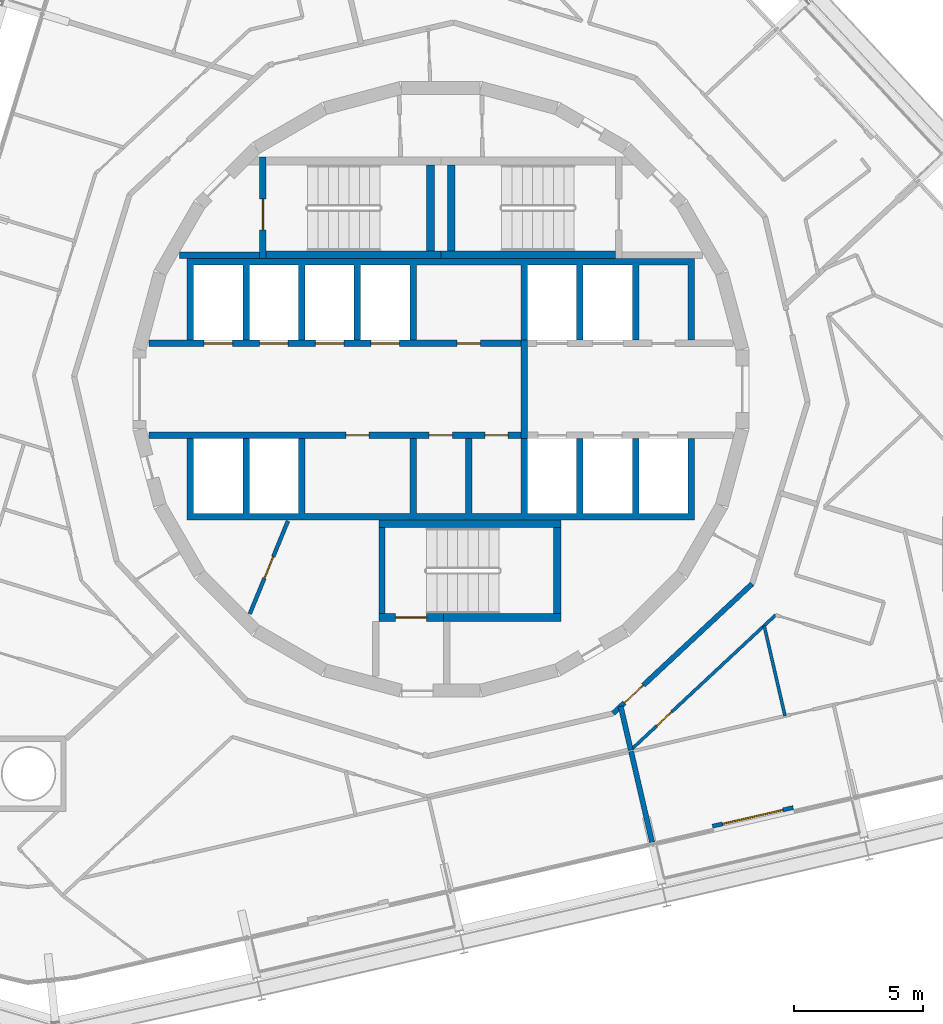
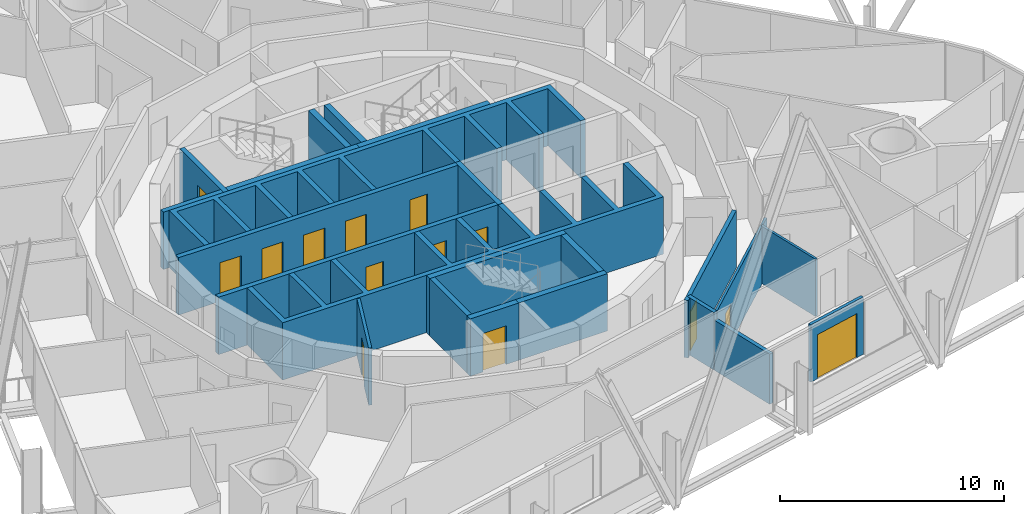
# One storey, part 13 of 18: 23 walls, 14 doors, 14 openings.
"""IFC4 building model written with IfcOpenShell, lengths in metres."""

from ifc_helpers import new_model, si_unit, direction, frame, frame_2d, origin, place, context, subcontext, project, spatial, polyline, rectangle, outline, extrude, material, layer, layer_set, type_object, element, fill, save


model = new_model("IFC4")

# Units and contexts
model_context = context("Model", 3, precision=1e-05, world=origin(), true_north=direction((0.0, 1.0)))
body_context = subcontext(model_context, "Body", "Model", "MODEL_VIEW")
ifc_project = project(units=[si_unit("LENGTHUNIT", "METRE"), si_unit("AREAUNIT", "SQUARE_METRE"), si_unit("VOLUMEUNIT", "CUBIC_METRE"), si_unit("PLANEANGLEUNIT", "RADIAN"), si_unit("MASSUNIT", "GRAM", prefix="KILO")], contexts=[model_context])

# Site, building, storey
site_placement = place(None, origin())
site = spatial("IfcSite", under=ifc_project, at=site_placement, CompositionType="ELEMENT")
building_placement = place(site_placement, origin())
building = spatial("IfcBuilding", under=site, at=building_placement, Name="Spindle Arch Residences", CompositionType="ELEMENT")
storey_placement = place(building_placement, frame((0.0, 0.0, 127.39990234375)))
storey = spatial("IfcBuildingStorey", under=building, at=storey_placement, Name="L31", CompositionType="ELEMENT", Elevation=127.39990234375)

# Wall, opening, door
ifc_material_1 = material(Name="Calcium silicate block, plastered")
ifc_layer_1 = layer(ifc_material_1, 0.199951171875)
ifc_layer_set_1 = layer_set([ifc_layer_1], Name="Corridor wall 200")
wall_type_1 = type_object("IfcWallType", Name="Corridor wall 200", PredefinedType="STANDARD", material=ifc_layer_set_1)
wall_1_placement = place(storey_placement, frame((6.65869140625, -12.523193359375, 0.0), z_axis=(0.0, 0.0, 1.0), x_axis=(0.731350455479, 0.682001841105, 0.0)))
wall_1 = element("IfcWall", 1, at=wall_1_placement, inside=storey, type_object=wall_type_1, Name="Corridor wall R3B0-W015", PredefinedType="STANDARD", context=body_context, shape_type="SweptSolid", body=[
    extrude(rectangle(XDim=7.341796875, YDim=0.199951171875, at=frame_2d((3.6708984375, 0.0))), origin(), (0.0, 0.0, 1.0), 3.1201171875),
])
opening_1_placement = place(wall_1_placement, frame((0.596923828125, 0.0, 0.0)))
opening_1 = element("IfcOpeningElement", 2, at=opening_1_placement, cuts=wall_1, Name="Opening R3B0-FD05", PredefinedType="OPENING", context=body_context, shape_type="SweptSolid", body=[
    extrude(rectangle(XDim=1.0, YDim=2.10009765625, at=frame_2d((0.5, 1.050048828125))), frame((0.0, 0.10986328125, 0.0), z_axis=(0.0, -1.0, 0.0), x_axis=(1.0, 0.0, 0.0)), (0.0, 0.0, 1.0), 0.219970703125),
])
ifc_material_2 = material(Name="Timber, fire-resisting door set", Category="wood")
door_type_1 = type_object("IfcDoorType", Name="Flat entrance door 1000x2100", OperationType="NOTDEFINED", PredefinedType="DOOR", material=ifc_material_2)
door_1_placement = place(opening_1_placement, origin())
door_1 = element("IfcDoor", 3, at=door_1_placement, inside=storey, type_object=door_type_1, Name="Flat entrance door R3B0-FD05", OperationType="SINGLE_SWING_RIGHT", OverallHeight=2.10009765625, OverallWidth=1.0, PredefinedType="DOOR", context=body_context, shape_type="SweptSolid", body=[
    extrude(rectangle(XDim=1.0, YDim=2.10009765625, at=frame_2d((0.5, 1.050048828125))), frame((0.0, 0.02490234375, 0.0), z_axis=(0.0, -1.0, 0.0), x_axis=(1.0, 0.0, 0.0)), (0.0, 0.0, 1.0), 0.050048828125),
])
fill(opening_1, door_1)

# Wall
ifc_material_3 = material(Name="Concrete C40/50", Category="concrete")
ifc_layer_2 = layer(ifc_material_3, 0.25)
ifc_layer_set_2 = layer_set([ifc_layer_2], Name="Fire-lift lobby wall 250")
wall_type_2 = type_object("IfcWallType", Name="Fire-lift lobby wall 250", PredefinedType="SHEAR", material=ifc_layer_set_2)
wall_2_placement = place(storey_placement, frame((3.22509765625, -1.89990234375, 0.0), z_axis=(0.0, 0.0, 1.0), x_axis=(0.0, 1.0, 0.0)))
element("IfcWall", 4, at=wall_2_placement, inside=storey, type_object=wall_type_2, Name="Fire-fighting lobby partition", PredefinedType="SHEAR", context=body_context, shape_type="SweptSolid", body=[
    extrude(rectangle(XDim=3.7998046875, YDim=0.25, at=frame_2d((1.89990234375, 0.0))), origin(), (0.0, 0.0, 1.0), 3.1201171875),
])

# Wall, opening, door
ifc_material_4 = material(Name="Plasterboard on steel studs", Category="steel")
ifc_layer_3 = layer(ifc_material_4, 0.1201171875)
ifc_layer_set_3 = layer_set([ifc_layer_3], Name="Flat partition 120")
wall_type_3 = type_object("IfcWallType", Name="Flat partition 120", PredefinedType="PARTITIONING", material=ifc_layer_set_3)
wall_3_placement = place(storey_placement, frame((7.3876953125, -13.894287109375, 0.0), z_axis=(0.0, 0.0, 1.0), x_axis=(0.731346321845, 0.682006273815, 0.0)))
wall_3 = element("IfcWall", 5, at=wall_3_placement, inside=storey, type_object=wall_type_3, Name="Flat partition R3B0-W085", PredefinedType="PARTITIONING", context=body_context, shape_type="SweptSolid", body=[
    extrude(rectangle(XDim=7.58544921875, YDim=0.1201171875, at=frame_2d((3.792724609375, 0.0))), origin(), (0.0, 0.0, 1.0), 3.1201171875),
])
opening_2_placement = place(wall_3_placement, frame((1.300048828125, 0.0, 0.0)))
opening_2 = element("IfcOpeningElement", 6, at=opening_2_placement, cuts=wall_3, Name="Opening R3B0-BD06", PredefinedType="OPENING", context=body_context, shape_type="SweptSolid", body=[
    extrude(rectangle(XDim=0.800048828125, YDim=2.10009765625, at=frame_2d((0.39990234375, 1.050048828125))), frame((0.0, 0.070068359375, 0.0), z_axis=(0.0, -1.0, 0.0), x_axis=(1.0, 0.0, 0.0)), (0.0, 0.0, 1.0), 0.14013671875),
])
ifc_material_5 = material(Name="Timber door set", Category="wood")
door_type_2 = type_object("IfcDoorType", Name="Bathroom door 800x2100", OperationType="NOTDEFINED", PredefinedType="DOOR", material=ifc_material_5)
door_2_placement = place(opening_2_placement, origin())
door_2 = element("IfcDoor", 7, at=door_2_placement, inside=storey, type_object=door_type_2, Name="Bathroom door R3B0-BD06", OperationType="SINGLE_SWING_RIGHT", OverallHeight=2.10009765625, OverallWidth=0.800048828125, PredefinedType="DOOR", context=body_context, shape_type="SweptSolid", body=[
    extrude(rectangle(XDim=0.800048828125, YDim=2.10009765625, at=frame_2d((0.39990234375, 1.050048828125))), frame((0.0, 0.02490234375, 0.0), z_axis=(0.0, -1.0, 0.0), x_axis=(1.0, 0.0, 0.0)), (0.0, 0.0, 1.0), 0.050048828125),
])
fill(opening_2, door_2)

# Walls
wall_4_placement = place(storey_placement, frame((13.29833984375, -12.622802734375, 0.0), z_axis=(0.0, 0.0, 1.0), x_axis=(-0.22499394936, 0.974360160696, 0.0)))
element("IfcWall", 8, at=wall_4_placement, inside=storey, type_object=wall_type_3, Name="Flat partition R3B0-W091", PredefinedType="PARTITIONING", context=body_context, shape_type="SweptSolid", body=[
    extrude(rectangle(XDim=3.580810546875, YDim=0.1201171875, at=frame_2d((1.79052734375, 0.0))), origin(), (0.0, 0.0, 1.0), 3.1201171875),
])
ifc_material_6 = material(Name="Calcium silicate block, plastered")
ifc_layer_4 = layer(ifc_material_6, 0.199951171875)
ifc_layer_set_4 = layer_set([ifc_layer_4], Name="Flat party wall 200")
wall_type_4 = type_object("IfcWallType", Name="Flat party wall 200", PredefinedType="STANDARD", material=ifc_layer_set_4)
wall_5_placement = place(storey_placement, frame((7.33984375, -13.9462890625, 0.0), z_axis=(0.0, 0.0, 1.0), x_axis=(-0.224849249613, 0.974393562658, 0.0)))
element("IfcWall", 9, at=wall_5_placement, inside=storey, type_object=wall_type_4, Name="Flat party wall R3B0-W022", PredefinedType="STANDARD", context=body_context, shape_type="SweptSolid", body=[
    extrude(rectangle(XDim=1.73828125, YDim=0.199951171875, at=frame_2d((0.869140625, 0.0))), origin(), (0.0, 0.0, 1.0), 3.1201171875),
])
ifc_material_7 = material(Name="Calcium silicate block, plastered")
ifc_layer_5 = layer(ifc_material_7, 0.199951171875)
ifc_layer_set_5 = layer_set([ifc_layer_5], Name="Flat party wall 200 under beam 2730")
wall_type_5 = type_object("IfcWallType", Name="Flat party wall 200 under beam 2730", PredefinedType="STANDARD", material=ifc_layer_set_5)
wall_6_placement = place(storey_placement, frame((8.1611328125, -17.503662109375, 0.0), z_axis=(0.0, 0.0, 1.0), x_axis=(-0.224943703639, 0.9743717618, 0.0)))
element("IfcWall", 10, at=wall_6_placement, inside=storey, type_object=wall_type_5, Name="Flat party wall R3B0-W023", PredefinedType="STANDARD", context=body_context, shape_type="SweptSolid", body=[
    extrude(rectangle(XDim=3.60009765625, YDim=0.199951171875, at=frame_2d((1.800048828125, 0.0))), origin(), (0.0, 0.0, 1.0), 2.72998046875),
])

# Wall, opening, door
ifc_material_8 = material(Name="Non-combustible mineral wool insulated aluminium faced external wall (K0)", Category="aluminium")
ifc_layer_6 = layer(ifc_material_8, 0.159912109375)
ifc_layer_set_6 = layer_set([ifc_layer_6], Name="Insulated external wall panel 160")
wall_type_6 = type_object("IfcWallType", Name="Insulated external wall panel 160", PredefinedType="STANDARD", material=ifc_layer_set_6)
wall_7_placement = place(storey_placement, frame((10.495849609375, -16.882568359375, 0.0), z_axis=(0.0, 0.0, 1.0), x_axis=(0.974364187477, 0.224976510247, 0.0)))
wall_7 = element("IfcWall", 11, at=wall_7_placement, inside=storey, type_object=wall_type_6, Name="External wall L31 bay 1", PredefinedType="STANDARD", context=body_context, shape_type="SweptSolid", body=[
    extrude(rectangle(XDim=3.2001953125, YDim=0.159912109375, at=frame_2d((1.60009765625, 0.0))), origin(), (0.0, 0.0, 1.0), 3.1201171875),
])
opening_3_placement = place(wall_7_placement, frame((0.39990234375, 0.0, 0.0)))
opening_3 = element("IfcOpeningElement", 12, at=opening_3_placement, cuts=wall_7, Name="Opening BD01", PredefinedType="OPENING", context=body_context, shape_type="SweptSolid", body=[
    extrude(rectangle(XDim=2.39990234375, YDim=2.39990234375, at=frame_2d((1.199951171875, 1.199951171875))), frame((0.0, 0.08984375, 0.0), z_axis=(0.0, -1.0, 0.0), x_axis=(1.0, 0.0, 0.0)), (0.0, 0.0, 1.0), 0.179931640625),
])
ifc_material_9 = material(Name="Bronze aluminium frame, tinted double glazing", Category="aluminium")
door_type_3 = type_object("IfcDoorType", Name="Sliding glazed balcony door 2400x2400", OperationType="DOUBLE_DOOR_SLIDING", PredefinedType="DOOR", material=ifc_material_9)
door_3_placement = place(opening_3_placement, origin())
door_3 = element("IfcDoor", 13, at=door_3_placement, inside=storey, type_object=door_type_3, Name="Balcony door BD01", OperationType="DOUBLE_DOOR_SLIDING", OverallHeight=2.39990234375, OverallWidth=2.39990234375, PredefinedType="DOOR", context=body_context, shape_type="SweptSolid", body=[
    extrude(rectangle(XDim=2.39990234375, YDim=2.39990234375, at=frame_2d((1.199951171875, 1.199951171875))), frame((0.0, 0.02490234375, 0.0), z_axis=(0.0, -1.0, 0.0), x_axis=(1.0, 0.0, 0.0)), (0.0, 0.0, 1.0), 0.050048828125),
])
fill(opening_3, door_3)

# Wall, openings, doors
ifc_material_10 = material(Name="Concrete C50/60", Category="concrete")
ifc_layer_7 = layer(ifc_material_10, 0.25)
ifc_layer_set_7 = layer_set([ifc_layer_7], Name="Lift shaft wall 250")
wall_type_7 = type_object("IfcWallType", Name="Lift shaft wall 250", PredefinedType="SHEAR", material=ifc_layer_set_7)
wall_8_placement = place(storey_placement, frame((-11.280029296875, 1.77490234375, 0.0), z_axis=(0.0, 0.0, 1.0), x_axis=(1.0, 0.0, 0.0)))
wall_8 = element("IfcWall", 14, at=wall_8_placement, inside=storey, type_object=wall_type_7, Name="Lift shaft front wall NW", PredefinedType="SHEAR", context=body_context, shape_type="SweptSolid", body=[
    extrude(rectangle(XDim=14.380126953125, YDim=0.25, at=frame_2d((7.18994140625, 0.0))), origin(), (0.0, 0.0, 1.0), 3.1201171875),
])
opening_4_placement = place(wall_8_placement, frame((2.1298828125, 0.0, 0.0)))
opening_4 = element("IfcOpeningElement", 15, at=opening_4_placement, cuts=wall_8, Name="Opening R3B0-LD01", PredefinedType="OPENING", context=body_context, shape_type="SweptSolid", body=[
    extrude(rectangle(XDim=1.10009765625, YDim=2.10009765625, at=frame_2d((0.550048828125, 1.050048828125))), frame((0.0, 0.135009765625, 0.0), z_axis=(0.0, -1.0, 0.0), x_axis=(1.0, 0.0, 0.0)), (0.0, 0.0, 1.0), 0.27001953125),
])
opening_5_placement = place(wall_8_placement, frame((4.280029296875, 0.0, 0.0)))
opening_5 = element("IfcOpeningElement", 16, at=opening_5_placement, cuts=wall_8, Name="Opening R3B0-LD02", PredefinedType="OPENING", context=body_context, shape_type="SweptSolid", body=[
    extrude(rectangle(XDim=1.10009765625, YDim=2.10009765625, at=frame_2d((0.550048828125, 1.050048828125))), frame((0.0, 0.135009765625, 0.0), z_axis=(0.0, -1.0, 0.0), x_axis=(1.0, 0.0, 0.0)), (0.0, 0.0, 1.0), 0.27001953125),
])
opening_6_placement = place(wall_8_placement, frame((6.429931640625, 0.0, 0.0)))
opening_6 = element("IfcOpeningElement", 17, at=opening_6_placement, cuts=wall_8, Name="Opening R3B0-LD03", PredefinedType="OPENING", context=body_context, shape_type="SweptSolid", body=[
    extrude(rectangle(XDim=1.10009765625, YDim=2.10009765625, at=frame_2d((0.550048828125, 1.050048828125))), frame((0.0, 0.135009765625, 0.0), z_axis=(0.0, -1.0, 0.0), x_axis=(1.0, 0.0, 0.0)), (0.0, 0.0, 1.0), 0.27001953125),
])
opening_7_placement = place(wall_8_placement, frame((8.580078125, 0.0, 0.0)))
opening_7 = element("IfcOpeningElement", 18, at=opening_7_placement, cuts=wall_8, Name="Opening R3B0-LD04", PredefinedType="OPENING", context=body_context, shape_type="SweptSolid", body=[
    extrude(rectangle(XDim=1.10009765625, YDim=2.10009765625, at=frame_2d((0.550048828125, 1.050048828125))), frame((0.0, 0.135009765625, 0.0), z_axis=(0.0, -1.0, 0.0), x_axis=(1.0, 0.0, 0.0)), (0.0, 0.0, 1.0), 0.27001953125),
])
opening_8_placement = place(wall_8_placement, frame((11.905029296875, 0.0, 0.0)))
opening_8 = element("IfcOpeningElement", 19, at=opening_8_placement, cuts=wall_8, Name="Opening R3B0-WD01", PredefinedType="OPENING", context=body_context, shape_type="SweptSolid", body=[
    extrude(rectangle(XDim=0.89990234375, YDim=2.10009765625, at=frame_2d((0.449951171875, 1.050048828125))), frame((0.0, 0.135009765625, 0.0), z_axis=(0.0, -1.0, 0.0), x_axis=(1.0, 0.0, 0.0)), (0.0, 0.0, 1.0), 0.27001953125),
])
ifc_material_11 = material(Name="Steel, fire-resisting landing door", Category="steel")
door_type_4 = type_object("IfcDoorType", Name="Lift landing door 1100x2100", OperationType="DOUBLE_DOOR_SLIDING", PredefinedType="DOOR", material=ifc_material_11)
door_4_placement = place(opening_4_placement, origin())
door_4 = element("IfcDoor", 20, at=door_4_placement, inside=storey, type_object=door_type_4, Name="Lift landing door R3B0-LD01", OperationType="DOUBLE_DOOR_SLIDING", OverallHeight=2.10009765625, OverallWidth=1.10009765625, PredefinedType="DOOR", context=body_context, shape_type="SweptSolid", body=[
    extrude(rectangle(XDim=1.10009765625, YDim=2.10009765625, at=frame_2d((0.550048828125, 1.050048828125))), frame((0.0, 0.02490234375, 0.0), z_axis=(0.0, -1.0, 0.0), x_axis=(1.0, 0.0, 0.0)), (0.0, 0.0, 1.0), 0.050048828125),
])
fill(opening_4, door_4)
door_5_placement = place(opening_5_placement, origin())
door_5 = element("IfcDoor", 21, at=door_5_placement, inside=storey, type_object=door_type_4, Name="Lift landing door R3B0-LD02", OperationType="DOUBLE_DOOR_SLIDING", OverallHeight=2.10009765625, OverallWidth=1.10009765625, PredefinedType="DOOR", context=body_context, shape_type="SweptSolid", body=[
    extrude(rectangle(XDim=1.10009765625, YDim=2.10009765625, at=frame_2d((0.550048828125, 1.050048828125))), frame((0.0, 0.02490234375, 0.0), z_axis=(0.0, -1.0, 0.0), x_axis=(1.0, 0.0, 0.0)), (0.0, 0.0, 1.0), 0.050048828125),
])
fill(opening_5, door_5)
door_6_placement = place(opening_6_placement, origin())
door_6 = element("IfcDoor", 22, at=door_6_placement, inside=storey, type_object=door_type_4, Name="Lift landing door R3B0-LD03", OperationType="DOUBLE_DOOR_SLIDING", OverallHeight=2.10009765625, OverallWidth=1.10009765625, PredefinedType="DOOR", context=body_context, shape_type="SweptSolid", body=[
    extrude(rectangle(XDim=1.10009765625, YDim=2.10009765625, at=frame_2d((0.550048828125, 1.050048828125))), frame((0.0, 0.02490234375, 0.0), z_axis=(0.0, -1.0, 0.0), x_axis=(1.0, 0.0, 0.0)), (0.0, 0.0, 1.0), 0.050048828125),
])
fill(opening_6, door_6)
door_7_placement = place(opening_7_placement, origin())
door_7 = element("IfcDoor", 23, at=door_7_placement, inside=storey, type_object=door_type_4, Name="Lift landing door R3B0-LD04", OperationType="DOUBLE_DOOR_SLIDING", OverallHeight=2.10009765625, OverallWidth=1.10009765625, PredefinedType="DOOR", context=body_context, shape_type="SweptSolid", body=[
    extrude(rectangle(XDim=1.10009765625, YDim=2.10009765625, at=frame_2d((0.550048828125, 1.050048828125))), frame((0.0, 0.02490234375, 0.0), z_axis=(0.0, -1.0, 0.0), x_axis=(1.0, 0.0, 0.0)), (0.0, 0.0, 1.0), 0.050048828125),
])
fill(opening_7, door_7)
ifc_material_12 = material(Name="Steel, fire-resisting door", Category="steel")
door_type_5 = type_object("IfcDoorType", Name="Service room door 900x2100", OperationType="SINGLE_SWING_LEFT", PredefinedType="DOOR", material=ifc_material_12)
door_8_placement = place(opening_8_placement, origin())
door_8 = element("IfcDoor", 24, at=door_8_placement, inside=storey, type_object=door_type_5, Name="Service room door R3B0-WD01", OperationType="SINGLE_SWING_RIGHT", OverallHeight=2.10009765625, OverallWidth=0.89990234375, PredefinedType="DOOR", context=body_context, shape_type="SweptSolid", body=[
    extrude(rectangle(XDim=0.89990234375, YDim=2.10009765625, at=frame_2d((0.449951171875, 1.050048828125))), frame((0.0, 0.02490234375, 0.0), z_axis=(0.0, -1.0, 0.0), x_axis=(1.0, 0.0, 0.0)), (0.0, 0.0, 1.0), 0.050048828125),
])
fill(opening_8, door_8)

wall_9_placement = place(storey_placement, frame((-11.280029296875, -1.77490234375, 0.0), z_axis=(0.0, 0.0, 1.0), x_axis=(1.0, 0.0, 0.0)))
wall_9 = element("IfcWall", 25, at=wall_9_placement, inside=storey, type_object=wall_type_7, Name="Lift shaft front wall SW", PredefinedType="SHEAR", context=body_context, shape_type="SweptSolid", body=[
    extrude(rectangle(XDim=14.380126953125, YDim=0.25, at=frame_2d((7.18994140625, 0.0))), origin(), (0.0, 0.0, 1.0), 3.1201171875),
])
opening_9_placement = place(wall_9_placement, frame((7.60498046875, 0.0, 0.0)))
opening_9 = element("IfcOpeningElement", 26, at=opening_9_placement, cuts=wall_9, Name="Opening R3B0-WD03", PredefinedType="OPENING", context=body_context, shape_type="SweptSolid", body=[
    extrude(rectangle(XDim=0.89990234375, YDim=2.10009765625, at=frame_2d((0.449951171875, 1.050048828125))), frame((0.0, 0.135009765625, 0.0), z_axis=(0.0, -1.0, 0.0), x_axis=(1.0, 0.0, 0.0)), (0.0, 0.0, 1.0), 0.27001953125),
])
opening_10_placement = place(wall_9_placement, frame((10.830078125, 0.0, 0.0)))
opening_10 = element("IfcOpeningElement", 27, at=opening_10_placement, cuts=wall_9, Name="Opening R3B0-WD04", PredefinedType="OPENING", context=body_context, shape_type="SweptSolid", body=[
    extrude(rectangle(XDim=0.89990234375, YDim=2.10009765625, at=frame_2d((0.449951171875, 1.050048828125))), frame((0.0, 0.135009765625, 0.0), z_axis=(0.0, -1.0, 0.0), x_axis=(1.0, 0.0, 0.0)), (0.0, 0.0, 1.0), 0.27001953125),
])
opening_11_placement = place(wall_9_placement, frame((12.97998046875, 0.0, 0.0)))
opening_11 = element("IfcOpeningElement", 28, at=opening_11_placement, cuts=wall_9, Name="Opening R3B0-WD05", PredefinedType="OPENING", context=body_context, shape_type="SweptSolid", body=[
    extrude(rectangle(XDim=0.89990234375, YDim=2.10009765625, at=frame_2d((0.449951171875, 1.050048828125))), frame((0.0, 0.135009765625, 0.0), z_axis=(0.0, -1.0, 0.0), x_axis=(1.0, 0.0, 0.0)), (0.0, 0.0, 1.0), 0.27001953125),
])
door_9_placement = place(opening_9_placement, origin())
door_9 = element("IfcDoor", 29, at=door_9_placement, inside=storey, type_object=door_type_5, Name="Service room door R3B0-WD03", OperationType="SINGLE_SWING_RIGHT", OverallHeight=2.10009765625, OverallWidth=0.89990234375, PredefinedType="DOOR", context=body_context, shape_type="SweptSolid", body=[
    extrude(rectangle(XDim=0.89990234375, YDim=2.10009765625, at=frame_2d((0.449951171875, 1.050048828125))), frame((0.0, 0.02490234375, 0.0), z_axis=(0.0, -1.0, 0.0), x_axis=(1.0, 0.0, 0.0)), (0.0, 0.0, 1.0), 0.050048828125),
])
fill(opening_9, door_9)
door_10_placement = place(opening_10_placement, origin())
door_10 = element("IfcDoor", 30, at=door_10_placement, inside=storey, type_object=door_type_5, Name="Service room door R3B0-WD04", OperationType="SINGLE_SWING_LEFT", OverallHeight=2.10009765625, OverallWidth=0.89990234375, PredefinedType="DOOR", context=body_context, shape_type="SweptSolid", body=[
    extrude(rectangle(XDim=0.89990234375, YDim=2.10009765625, at=frame_2d((0.449951171875, 1.050048828125))), frame((0.0, 0.02490234375, 0.0), z_axis=(0.0, -1.0, 0.0), x_axis=(1.0, 0.0, 0.0)), (0.0, 0.0, 1.0), 0.050048828125),
])
fill(opening_10, door_10)
door_11_placement = place(opening_11_placement, origin())
door_11 = element("IfcDoor", 31, at=door_11_placement, inside=storey, type_object=door_type_5, Name="Service room door R3B0-WD05", OperationType="SINGLE_SWING_RIGHT", OverallHeight=2.10009765625, OverallWidth=0.89990234375, PredefinedType="DOOR", context=body_context, shape_type="SweptSolid", body=[
    extrude(rectangle(XDim=0.89990234375, YDim=2.10009765625, at=frame_2d((0.449951171875, 1.050048828125))), frame((0.0, 0.02490234375, 0.0), z_axis=(0.0, -1.0, 0.0), x_axis=(1.0, 0.0, 0.0)), (0.0, 0.0, 1.0), 0.050048828125),
])
fill(opening_11, door_11)

# Walls
ifc_material_13 = material(Name="Concrete C50/60", Category="concrete")
wall_type_8 = type_object("IfcWallType", Name="Lift shaft wall profile", PredefinedType="SHEAR", material=ifc_material_13)
wall_10_placement = place(storey_placement, origin())
element("IfcWall", 32, at=wall_10_placement, inside=storey, type_object=wall_type_8, Name="Lift shaft walls N", PredefinedType="SHEAR", context=body_context, shape_type="SweptSolid", body=[
    extrude(outline(polyline([(-9.550048828125, 4.800048828125), (-7.64990234375, 4.800048828125), (-7.64990234375, 1.89990234375), (-7.39990234375, 1.89990234375), (-7.39990234375, 4.800048828125), (-5.5, 4.800048828125), (-5.5, 1.89990234375), (-5.25, 1.89990234375), (-5.25, 4.800048828125), (-3.35009765625, 4.800048828125), (-3.35009765625, 1.89990234375), (-3.10009765625, 1.89990234375), (-3.10009765625, 4.800048828125), (-1.199951171875, 4.800048828125), (-1.199951171875, 1.89990234375), (-0.949951171875, 1.89990234375), (-0.949951171875, 4.800048828125), (3.10009765625, 4.800048828125), (3.10009765625, 1.89990234375), (3.35009765625, 1.89990234375), (3.35009765625, 4.800048828125), (5.25, 4.800048828125), (5.25, 1.89990234375), (5.5, 1.89990234375), (5.5, 4.800048828125), (7.39990234375, 4.800048828125), (7.39990234375, 1.89990234375), (7.64990234375, 1.89990234375), (7.64990234375, 4.800048828125), (9.550048828125, 4.800048828125), (9.550048828125, 1.89990234375), (9.800048828125, 1.89990234375), (9.800048828125, 4.800048828125), (9.800048828125, 5.050048828125), (-9.800048828125, 5.050048828125), (-9.800048828125, 4.800048828125), (-9.800048828125, 1.89990234375), (-9.550048828125, 1.89990234375), (-9.550048828125, 4.800048828125)])), origin(), (0.0, 0.0, 1.0), 3.1201171875),
])
wall_11_placement = place(storey_placement, origin())
element("IfcWall", 33, at=wall_11_placement, inside=storey, type_object=wall_type_8, Name="Lift shaft walls S", PredefinedType="SHEAR", context=body_context, shape_type="SweptSolid", body=[
    extrude(outline(polyline([(9.800048828125, -5.050048828125), (9.800048828125, -4.800048828125), (9.800048828125, -1.89990234375), (9.550048828125, -1.89990234375), (9.550048828125, -4.800048828125), (7.64990234375, -4.800048828125), (7.64990234375, -1.89990234375), (7.39990234375, -1.89990234375), (7.39990234375, -4.800048828125), (5.5, -4.800048828125), (5.5, -1.89990234375), (5.25, -1.89990234375), (5.25, -4.800048828125), (3.35009765625, -4.800048828125), (3.35009765625, -1.89990234375), (3.10009765625, -1.89990234375), (3.10009765625, -4.800048828125), (1.199951171875, -4.800048828125), (1.199951171875, -1.89990234375), (0.949951171875, -1.89990234375), (0.949951171875, -4.800048828125), (-0.949951171875, -4.800048828125), (-0.949951171875, -1.89990234375), (-1.199951171875, -1.89990234375), (-1.199951171875, -4.800048828125), (-5.25, -4.800048828125), (-5.25, -1.89990234375), (-5.5, -1.89990234375), (-5.5, -4.800048828125), (-7.39990234375, -4.800048828125), (-7.39990234375, -1.89990234375), (-7.64990234375, -1.89990234375), (-7.64990234375, -4.800048828125), (-9.550048828125, -4.800048828125), (-9.550048828125, -1.89990234375), (-9.800048828125, -1.89990234375), (-9.800048828125, -4.800048828125), (-9.800048828125, -5.050048828125), (9.800048828125, -5.050048828125)])), origin(), (0.0, 0.0, 1.0), 3.1201171875),
])

# Wall, opening, door
ifc_material_14 = material(Name="Concrete C25/30", Category="concrete")
ifc_layer_8 = layer(ifc_material_14, 0.14990234375)
ifc_layer_set_8 = layer_set([ifc_layer_8], Name="Service room partition 150")
wall_type_9 = type_object("IfcWallType", Name="Service room partition 150", PredefinedType="PARTITIONING", material=ifc_layer_set_8)
wall_12_placement = place(storey_placement, frame((-7.385009765625, -8.680908203125, 0.0), z_axis=(0.0, 0.0, 1.0), x_axis=(0.379804590409, 0.925066739811, 0.0)))
wall_12 = element("IfcWall", 34, at=wall_12_placement, inside=storey, type_object=wall_type_9, Name="Core service room partition", PredefinedType="PARTITIONING", context=body_context, shape_type="SweptSolid", body=[
    extrude(rectangle(XDim=3.885009765625, YDim=0.14990234375, at=frame_2d((1.9423828125, 0.0))), origin(), (0.0, 0.0, 1.0), 3.1201171875),
])
opening_12_placement = place(wall_12_placement, frame((1.49267578125, 0.0, 0.0)))
opening_12 = element("IfcOpeningElement", 35, at=opening_12_placement, cuts=wall_12, Name="Opening R3B0-WD06", PredefinedType="OPENING", context=body_context, shape_type="SweptSolid", body=[
    extrude(rectangle(XDim=0.89990234375, YDim=2.10009765625, at=frame_2d((0.449951171875, 1.050048828125))), frame((0.0, 0.0849609375, 0.0), z_axis=(0.0, -1.0, 0.0), x_axis=(1.0, 0.0, 0.0)), (0.0, 0.0, 1.0), 0.169921875),
])
door_12_placement = place(opening_12_placement, origin())
door_12 = element("IfcDoor", 36, at=door_12_placement, inside=storey, type_object=door_type_5, Name="Service room door R3B0-WD06", OperationType="SINGLE_SWING_LEFT", OverallHeight=2.10009765625, OverallWidth=0.89990234375, PredefinedType="DOOR", context=body_context, shape_type="SweptSolid", body=[
    extrude(rectangle(XDim=0.89990234375, YDim=2.10009765625, at=frame_2d((0.449951171875, 1.050048828125))), frame((0.0, 0.02490234375, 0.0), z_axis=(0.0, -1.0, 0.0), x_axis=(1.0, 0.0, 0.0)), (0.0, 0.0, 1.0), 0.050048828125),
])
fill(opening_12, door_12)

# Wall
ifc_material_15 = material(Name="Concrete C40/50", Category="concrete")
ifc_layer_9 = layer(ifc_material_15, 0.25)
ifc_layer_set_9 = layer_set([ifc_layer_9], Name="Stair airlock wall 250")
wall_type_10 = type_object("IfcWallType", Name="Stair airlock wall 250", PredefinedType="SHEAR", material=ifc_layer_set_9)
wall_13_placement = place(storey_placement, frame((-7.0, 5.175048828125, 0.0), z_axis=(0.0, 0.0, 1.0), x_axis=(-1.0, 0.0, 0.0)))
element("IfcWall", 37, at=wall_13_placement, inside=storey, type_object=wall_type_10, Name="Stair ST-2 airlock wall S", PredefinedType="SHEAR", context=body_context, shape_type="SweptSolid", body=[
    extrude(rectangle(XDim=3.10009765625, YDim=0.25, at=frame_2d((1.550048828125, 0.0))), origin(), (0.0, 0.0, 1.0), 3.1201171875),
])

# Wall, opening, door
ifc_material_16 = material(Name="Concrete C50/60", Category="concrete")
ifc_layer_10 = layer(ifc_material_16, 0.25)
ifc_layer_set_10 = layer_set([ifc_layer_10], Name="Stair enclosure wall 250")
wall_type_11 = type_object("IfcWallType", Name="Stair enclosure wall 250", PredefinedType="SHEAR", material=ifc_layer_set_10)
wall_14_placement = place(storey_placement, frame((-6.875, 8.969970703125, 0.0), z_axis=(0.0, 0.0, 1.0), x_axis=(0.0, -1.0, 0.0)))
wall_14 = element("IfcWall", 38, at=wall_14_placement, inside=storey, type_object=wall_type_11, Name="Stair ST-2 door wall", PredefinedType="SHEAR", context=body_context, shape_type="SweptSolid", body=[
    extrude(rectangle(XDim=3.919921875, YDim=0.25, at=frame_2d((1.9599609375, 0.0))), origin(), (0.0, 0.0, 1.0), 3.1201171875),
])
opening_13_placement = place(wall_14_placement, frame((1.610107421875, 0.0, 0.0)))
opening_13 = element("IfcOpeningElement", 39, at=opening_13_placement, cuts=wall_14, Name="Opening R3B0-SD02", PredefinedType="OPENING", context=body_context, shape_type="SweptSolid", body=[
    extrude(rectangle(XDim=1.199951171875, YDim=2.10009765625, at=frame_2d((0.60009765625, 1.050048828125))), frame((0.0, 0.135009765625, 0.0), z_axis=(0.0, -1.0, 0.0), x_axis=(1.0, 0.0, 0.0)), (0.0, 0.0, 1.0), 0.27001953125),
])
ifc_material_17 = material(Name="Steel, fire-resisting door", Category="steel")
door_type_6 = type_object("IfcDoorType", Name="Stair door 1200x2100", OperationType="SINGLE_SWING_RIGHT", PredefinedType="DOOR", material=ifc_material_17)
door_13_placement = place(opening_13_placement, origin())
door_13 = element("IfcDoor", 40, at=door_13_placement, inside=storey, type_object=door_type_6, Name="Stair door R3B0-SD02", OperationType="SINGLE_SWING_LEFT", OverallHeight=2.10009765625, OverallWidth=1.199951171875, PredefinedType="DOOR", context=body_context, shape_type="SweptSolid", body=[
    extrude(rectangle(XDim=1.199951171875, YDim=2.10009765625, at=frame_2d((0.60009765625, 1.050048828125))), frame((0.0, 0.02490234375, 0.0), z_axis=(0.0, -1.0, 0.0), x_axis=(1.0, 0.0, 0.0)), (0.0, 0.0, 1.0), 0.050048828125),
])
fill(opening_13, door_13)

# Walls
wall_15_placement = place(storey_placement, frame((-2.27490234375, -8.669921875, 0.0), z_axis=(0.0, 0.0, 1.0), x_axis=(0.0, 1.0, 0.0)))
element("IfcWall", 41, at=wall_15_placement, inside=storey, type_object=wall_type_11, Name="Stair ST-3 enclosure wall W", PredefinedType="SHEAR", context=body_context, shape_type="SweptSolid", body=[
    extrude(rectangle(XDim=3.31982421875, YDim=0.25, at=frame_2d((1.659912109375, 0.0))), origin(), (0.0, 0.0, 1.0), 3.1201171875),
])
ifc_material_18 = material(Name="Concrete C50/60", Category="concrete")
ifc_layer_11 = layer(ifc_material_18, 0.300048828125)
ifc_layer_set_11 = layer_set([ifc_layer_11], Name="Stair enclosure wall 300")
wall_type_12 = type_object("IfcWallType", Name="Stair enclosure wall 300", PredefinedType="SHEAR", material=ifc_layer_set_11)
wall_16_placement = place(storey_placement, frame((0.0, 5.199951171875, 0.0), z_axis=(0.0, 0.0, 1.0), x_axis=(1.0, 0.0, 0.0)))
element("IfcWall", 42, at=wall_16_placement, inside=storey, type_object=wall_type_12, Name="Stair ST-1 enclosure wall S", PredefinedType="SHEAR", context=body_context, shape_type="SweptSolid", body=[
    extrude(rectangle(XDim=6.75, YDim=0.300048828125, at=frame_2d((3.375, 0.0))), origin(), (0.0, 0.0, 1.0), 3.1201171875),
])
wall_17_placement = place(storey_placement, frame((0.39990234375, 5.35009765625, 0.0), z_axis=(0.0, 0.0, 1.0), x_axis=(0.0, 1.0, 0.0)))
element("IfcWall", 43, at=wall_17_placement, inside=storey, type_object=wall_type_12, Name="Stair ST-1 enclosure wall F", PredefinedType="SHEAR", context=body_context, shape_type="SweptSolid", body=[
    extrude(rectangle(XDim=3.31982421875, YDim=0.300048828125, at=frame_2d((1.659912109375, 0.0))), origin(), (0.0, 0.0, 1.0), 3.1201171875),
])
wall_18_placement = place(storey_placement, frame((-6.75, 5.199951171875, 0.0), z_axis=(0.0, 0.0, 1.0), x_axis=(1.0, 0.0, 0.0)))
element("IfcWall", 44, at=wall_18_placement, inside=storey, type_object=wall_type_12, Name="Stair ST-2 enclosure wall S", PredefinedType="SHEAR", context=body_context, shape_type="SweptSolid", body=[
    extrude(rectangle(XDim=6.75, YDim=0.300048828125, at=frame_2d((3.375, 0.0))), origin(), (0.0, 0.0, 1.0), 3.1201171875),
])
wall_19_placement = place(storey_placement, frame((-0.39990234375, 5.35009765625, 0.0), z_axis=(0.0, 0.0, 1.0), x_axis=(0.0, 1.0, 0.0)))
element("IfcWall", 45, at=wall_19_placement, inside=storey, type_object=wall_type_12, Name="Stair ST-2 enclosure wall F", PredefinedType="SHEAR", context=body_context, shape_type="SweptSolid", body=[
    extrude(rectangle(XDim=3.31982421875, YDim=0.300048828125, at=frame_2d((1.659912109375, 0.0))), origin(), (0.0, 0.0, 1.0), 3.1201171875),
])
wall_20_placement = place(storey_placement, frame((-2.39990234375, -5.199951171875, 0.0), z_axis=(0.0, 0.0, 1.0), x_axis=(1.0, 0.0, 0.0)))
element("IfcWall", 46, at=wall_20_placement, inside=storey, type_object=wall_type_12, Name="Stair ST-3 enclosure wall N", PredefinedType="SHEAR", context=body_context, shape_type="SweptSolid", body=[
    extrude(rectangle(XDim=7.0498046875, YDim=0.300048828125, at=frame_2d((3.52490234375, 0.0))), origin(), (0.0, 0.0, 1.0), 3.1201171875),
])
wall_21_placement = place(storey_placement, frame((4.5, -8.669921875, 0.0), z_axis=(0.0, 0.0, 1.0), x_axis=(0.0, 1.0, 0.0)))
element("IfcWall", 47, at=wall_21_placement, inside=storey, type_object=wall_type_12, Name="Stair ST-3 enclosure wall E", PredefinedType="SHEAR", context=body_context, shape_type="SweptSolid", body=[
    extrude(rectangle(XDim=3.31982421875, YDim=0.300048828125, at=frame_2d((1.659912109375, 0.0))), origin(), (0.0, 0.0, 1.0), 3.1201171875),
])
wall_22_placement = place(storey_placement, frame((0.10009765625, -8.820068359375, 0.0), z_axis=(0.0, 0.0, 1.0), x_axis=(1.0, 0.0, 0.0)))
element("IfcWall", 48, at=wall_22_placement, inside=storey, type_object=wall_type_12, Name="Stair ST-3 enclosure wall S", PredefinedType="SHEAR", context=body_context, shape_type="SweptSolid", body=[
    extrude(rectangle(XDim=4.5498046875, YDim=0.300048828125, at=frame_2d((2.27490234375, 0.0))), origin(), (0.0, 0.0, 1.0), 3.1201171875),
])

# Wall, opening, door
wall_23_placement = place(storey_placement, frame((-2.39990234375, -8.820068359375, 0.0), z_axis=(0.0, 0.0, 1.0), x_axis=(1.0, 0.0, 0.0)))
wall_23 = element("IfcWall", 49, at=wall_23_placement, inside=storey, type_object=wall_type_12, Name="Stair ST-3 door wall", PredefinedType="SHEAR", context=body_context, shape_type="SweptSolid", body=[
    extrude(rectangle(XDim=2.5, YDim=0.300048828125, at=frame_2d((1.25, 0.0))), origin(), (0.0, 0.0, 1.0), 3.1201171875),
])
opening_14_placement = place(wall_23_placement, frame((0.64990234375, 0.0, 0.0)))
opening_14 = element("IfcOpeningElement", 50, at=opening_14_placement, cuts=wall_23, Name="Opening R3B0-SD03", PredefinedType="OPENING", context=body_context, shape_type="SweptSolid", body=[
    extrude(rectangle(XDim=1.199951171875, YDim=2.10009765625, at=frame_2d((0.60009765625, 1.050048828125))), frame((0.0, 0.16015625, 0.0), z_axis=(0.0, -1.0, 0.0), x_axis=(1.0, 0.0, 0.0)), (0.0, 0.0, 1.0), 0.320068359375),
])
door_14_placement = place(opening_14_placement, origin())
door_14 = element("IfcDoor", 51, at=door_14_placement, inside=storey, type_object=door_type_6, Name="Stair door R3B0-SD03", OperationType="SINGLE_SWING_LEFT", OverallHeight=2.10009765625, OverallWidth=1.199951171875, PredefinedType="DOOR", context=body_context, shape_type="SweptSolid", body=[
    extrude(rectangle(XDim=1.199951171875, YDim=2.10009765625, at=frame_2d((0.60009765625, 1.050048828125))), frame((0.0, 0.02490234375, 0.0), z_axis=(0.0, -1.0, 0.0), x_axis=(1.0, 0.0, 0.0)), (0.0, 0.0, 1.0), 0.050048828125),
])
fill(opening_14, door_14)

save(model, "model.ifc")
